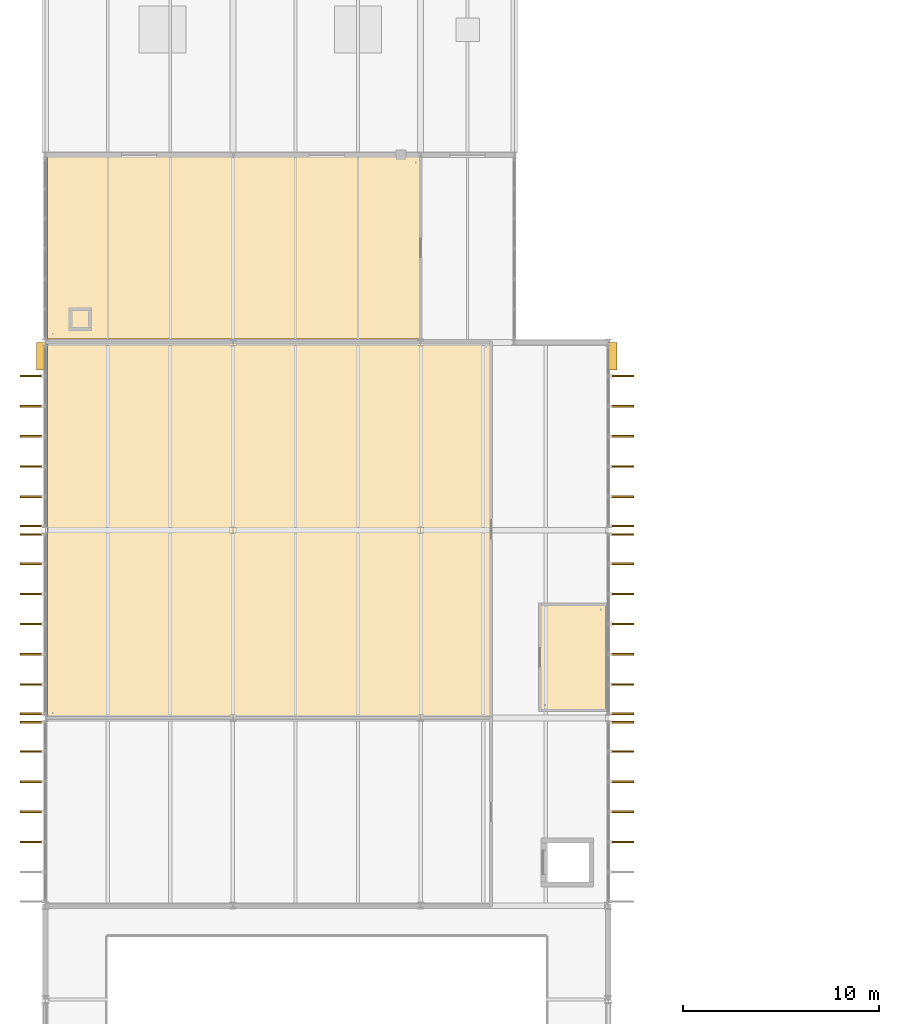
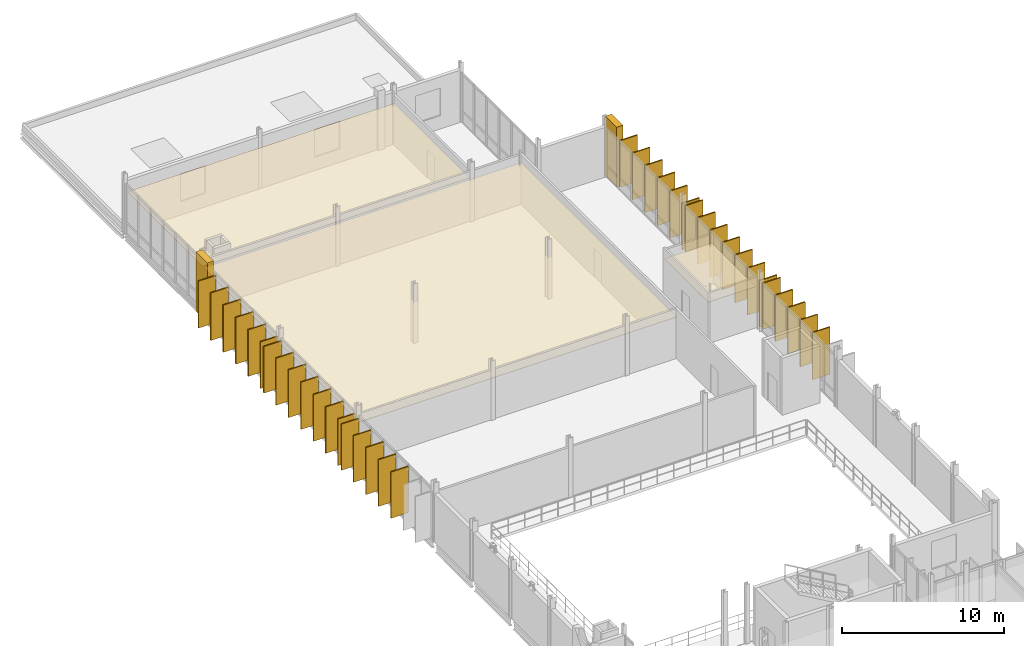
# One storey, part 105 of 107: 41 coverings.
"""IFC4 building model written with IfcOpenShell, lengths in metres."""

from ifc_helpers import new_model, si_unit, direction, frame, origin, origin_2d, place, context, subcontext, project, spatial, polyline, rectangle, outline, extrude, material, layer, layer_set, type_object, element, save


model = new_model("IFC4")

# Units and contexts
model_context = context("Model", 3, precision=1e-05, world=origin(), true_north=direction((0.0, 1.0)))
body_context = subcontext(model_context, "Body", "Model", "MODEL_VIEW")
ifc_project = project(units=[si_unit("LENGTHUNIT", "METRE"), si_unit("AREAUNIT", "SQUARE_METRE"), si_unit("VOLUMEUNIT", "CUBIC_METRE"), si_unit("PLANEANGLEUNIT", "RADIAN"), si_unit("MASSUNIT", "GRAM", prefix="KILO")], contexts=[model_context])

# Site, building, storey
site_placement = place(None, origin())
site = spatial("IfcSite", under=ifc_project, at=site_placement, CompositionType="ELEMENT")
building_placement = place(site_placement, origin())
building = spatial("IfcBuilding", under=site, at=building_placement, Name="Dunescarp Central Library", CompositionType="ELEMENT")
storey_placement = place(building_placement, frame((0.0, 0.0, 5.10009765625)))
storey = spatial("IfcBuildingStorey", under=building, at=storey_placement, Name="L01", CompositionType="ELEMENT", Elevation=5.10009765625)

# Coverings
ifc_material_1 = material(Name="Mineral-fibre acoustic ceiling tile")
ifc_layer_1 = layer(ifc_material_1, 0.0400390625)
ifc_layer_set_1 = layer_set([ifc_layer_1], Name="Mineral-fibre acoustic ceiling tile")
covering_type_1 = type_object("IfcCoveringType", Name="ARC-COV-CEIL40", PredefinedType="CEILING", material=ifc_layer_set_1)
covering_1_placement = place(storey_placement, frame((0.0, 0.0, 3.0498046875)))
element("IfcCovering", 1, at=covering_1_placement, inside=storey, type_object=covering_type_1, Name="L01 ceiling West Maker Wing WC", PredefinedType="CEILING", context=body_context, shape_type="SweptSolid", body=[
    extrude(outline(polyline([(25.280029296875, 70.780029296875), (28.679931640625, 70.780029296875), (28.679931640625, 76.219970703125), (25.280029296875, 76.219970703125), (25.280029296875, 70.780029296875)])), origin(), (0.0, 0.0, 1.0), 0.0400390625),
])
covering_2_placement = place(storey_placement, frame((0.0, 0.0, 3.0498046875)))
element("IfcCovering", 2, at=covering_2_placement, inside=storey, type_object=covering_type_1, Name="L01 ceiling Digital Media Editing & Podcast Lab", PredefinedType="CEILING", context=body_context, shape_type="SweptSolid", body=[
    extrude(outline(polyline([(0.1201171875, 70.3798828125), (22.820068359375, 70.3798828125), (22.820068359375, 89.6201171875), (0.1201171875, 89.6201171875), (0.1201171875, 70.3798828125)])), origin(), (0.0, 0.0, 1.0), 0.0400390625),
])
covering_3_placement = place(storey_placement, frame((0.0, 0.0, 3.0498046875)))
element("IfcCovering", 3, at=covering_3_placement, inside=storey, type_object=covering_type_1, Name="L01 ceiling Green-Screen Video Studio", PredefinedType="CEILING", context=body_context, shape_type="SweptSolid", body=[
    extrude(outline(polyline([(0.1201171875, 89.780029296875), (19.219970703125, 89.780029296875), (19.219970703125, 99.080078125), (0.1201171875, 99.080078125), (0.1201171875, 89.780029296875)])), origin(), (0.0, 0.0, 1.0), 0.0400390625),
])
ifc_material_2 = material(Name="Glass-fibre reinforced concrete GRC", Category="concrete")
ifc_layer_2 = layer(ifc_material_2, 0.090087890625)
ifc_layer_set_2 = layer_set([ifc_layer_2], Name="Glass-fibre reinforced concrete GRC")
covering_type_2 = type_object("IfcCoveringType", Name="ARC-COV-FIN1250", PredefinedType="CLADDING", material=ifc_layer_set_2)
covering_4_placement = place(storey_placement, frame((-0.662109375, 64.05810546875, 0.1640625), z_axis=(0.0, 0.0, 1.0), x_axis=(-1.0, 0.0, 0.0)))
element("IfcCovering", 4, at=covering_4_placement, inside=storey, type_object=covering_type_2, Name="L01 parametric vertical facade fin FIN-L01-0785", PredefinedType="CLADDING", context=body_context, shape_type="SweptSolid", body=[
    extrude(rectangle(XDim=1.25, YDim=0.090087890625, at=origin_2d()), origin(), (0.0, 0.0, 1.0), 3.488037109375),
])
covering_5_placement = place(storey_placement, frame((-0.662109375, 65.60009765625, 0.12353515625), z_axis=(0.0, 0.0, 1.0), x_axis=(-1.0, 0.0, 0.0)))
element("IfcCovering", 5, at=covering_5_placement, inside=storey, type_object=covering_type_2, Name="L01 parametric vertical facade fin FIN-L01-0786", PredefinedType="CLADDING", context=body_context, shape_type="SweptSolid", body=[
    extrude(rectangle(XDim=1.25, YDim=0.090087890625, at=origin_2d()), origin(), (0.0, 0.0, 1.0), 3.529052734375),
])
covering_6_placement = place(storey_placement, frame((-0.662109375, 67.14208984375, 0.079345703125), z_axis=(0.0, 0.0, 1.0), x_axis=(-1.0, 0.0, 0.0)))
element("IfcCovering", 6, at=covering_6_placement, inside=storey, type_object=covering_type_2, Name="L01 parametric vertical facade fin FIN-L01-0787", PredefinedType="CLADDING", context=body_context, shape_type="SweptSolid", body=[
    extrude(rectangle(XDim=1.25, YDim=0.090087890625, at=origin_2d()), origin(), (0.0, 0.0, 1.0), 3.56103515625),
])
covering_7_placement = place(storey_placement, frame((-0.662109375, 68.68310546875, 0.08056640625), z_axis=(0.0, 0.0, 1.0), x_axis=(-1.0, 0.0, 0.0)))
element("IfcCovering", 7, at=covering_7_placement, inside=storey, type_object=covering_type_2, Name="L01 parametric vertical facade fin FIN-L01-0788", PredefinedType="CLADDING", context=body_context, shape_type="SweptSolid", body=[
    extrude(rectangle(XDim=1.25, YDim=0.090087890625, at=origin_2d()), origin(), (0.0, 0.0, 1.0), 3.510986328125),
])
covering_8_placement = place(storey_placement, frame((-0.662109375, 70.18505859375, 0.079833984375), z_axis=(0.0, 0.0, 1.0), x_axis=(-1.0, 0.0, 0.0)))
element("IfcCovering", 8, at=covering_8_placement, inside=storey, type_object=covering_type_2, Name="L01 parametric vertical facade fin FIN-L01-0789", PredefinedType="CLADDING", context=body_context, shape_type="SweptSolid", body=[
    extrude(rectangle(XDim=1.25, YDim=0.090087890625, at=origin_2d()), origin(), (0.0, 0.0, 1.0), 3.47802734375),
])
covering_9_placement = place(storey_placement, frame((29.4619140625, 70.18505859375, 0.16748046875), z_axis=(0.0, 0.0, 1.0), x_axis=(1.0, 0.0, 0.0)))
element("IfcCovering", 9, at=covering_9_placement, inside=storey, type_object=covering_type_2, Name="L01 parametric vertical facade fin FIN-L01-0790", PredefinedType="CLADDING", context=body_context, shape_type="SweptSolid", body=[
    extrude(rectangle(XDim=1.25, YDim=0.090087890625, at=origin_2d()), origin(), (0.0, 0.0, 1.0), 3.485107421875),
])
covering_10_placement = place(storey_placement, frame((29.4619140625, 68.68310546875, 0.18017578125), z_axis=(0.0, 0.0, 1.0), x_axis=(1.0, 0.0, 0.0)))
element("IfcCovering", 10, at=covering_10_placement, inside=storey, type_object=covering_type_2, Name="L01 parametric vertical facade fin FIN-L01-0791", PredefinedType="CLADDING", context=body_context, shape_type="SweptSolid", body=[
    extrude(rectangle(XDim=1.25, YDim=0.090087890625, at=origin_2d()), origin(), (0.0, 0.0, 1.0), 3.471923828125),
])
covering_11_placement = place(storey_placement, frame((29.4619140625, 67.14208984375, 0.1640625), z_axis=(0.0, 0.0, 1.0), x_axis=(1.0, 0.0, 0.0)))
element("IfcCovering", 11, at=covering_11_placement, inside=storey, type_object=covering_type_2, Name="L01 parametric vertical facade fin FIN-L01-0792", PredefinedType="CLADDING", context=body_context, shape_type="SweptSolid", body=[
    extrude(rectangle(XDim=1.25, YDim=0.090087890625, at=origin_2d()), origin(), (0.0, 0.0, 1.0), 3.488037109375),
])
covering_12_placement = place(storey_placement, frame((29.4619140625, 65.60009765625, 0.12353515625), z_axis=(0.0, 0.0, 1.0), x_axis=(1.0, 0.0, 0.0)))
element("IfcCovering", 12, at=covering_12_placement, inside=storey, type_object=covering_type_2, Name="L01 parametric vertical facade fin FIN-L01-0793", PredefinedType="CLADDING", context=body_context, shape_type="SweptSolid", body=[
    extrude(rectangle(XDim=1.25, YDim=0.090087890625, at=origin_2d()), origin(), (0.0, 0.0, 1.0), 3.529052734375),
])
covering_13_placement = place(storey_placement, frame((29.4619140625, 64.05810546875, 0.079345703125), z_axis=(0.0, 0.0, 1.0), x_axis=(1.0, 0.0, 0.0)))
element("IfcCovering", 13, at=covering_13_placement, inside=storey, type_object=covering_type_2, Name="L01 parametric vertical facade fin FIN-L01-0794", PredefinedType="CLADDING", context=body_context, shape_type="SweptSolid", body=[
    extrude(rectangle(XDim=1.25, YDim=0.090087890625, at=origin_2d()), origin(), (0.0, 0.0, 1.0), 3.56103515625),
])
covering_14_placement = place(storey_placement, frame((-0.662109375, 70.614990234375, 0.166748046875), z_axis=(0.0, 0.0, 1.0), x_axis=(-1.0, 0.0, 0.0)))
element("IfcCovering", 14, at=covering_14_placement, inside=storey, type_object=covering_type_2, Name="L01 parametric vertical facade fin FIN-L01-0797", PredefinedType="CLADDING", context=body_context, shape_type="SweptSolid", body=[
    extrude(rectangle(XDim=1.25, YDim=0.090087890625, at=origin_2d()), origin(), (0.0, 0.0, 1.0), 3.51806640625),
])
covering_15_placement = place(storey_placement, frame((-0.662109375, 72.116943359375, 0.180419921875), z_axis=(0.0, 0.0, 1.0), x_axis=(-1.0, 0.0, 0.0)))
element("IfcCovering", 15, at=covering_15_placement, inside=storey, type_object=covering_type_2, Name="L01 parametric vertical facade fin FIN-L01-0798", PredefinedType="CLADDING", context=body_context, shape_type="SweptSolid", body=[
    extrude(rectangle(XDim=1.25, YDim=0.090087890625, at=origin_2d()), origin(), (0.0, 0.0, 1.0), 3.5048828125),
])
covering_16_placement = place(storey_placement, frame((-0.662109375, 73.657958984375, 0.163330078125), z_axis=(0.0, 0.0, 1.0), x_axis=(-1.0, 0.0, 0.0)))
element("IfcCovering", 16, at=covering_16_placement, inside=storey, type_object=covering_type_2, Name="L01 parametric vertical facade fin FIN-L01-0799", PredefinedType="CLADDING", context=body_context, shape_type="SweptSolid", body=[
    extrude(rectangle(XDim=1.25, YDim=0.090087890625, at=origin_2d()), origin(), (0.0, 0.0, 1.0), 3.52099609375),
])
covering_17_placement = place(storey_placement, frame((-0.662109375, 75.199951171875, 0.122802734375), z_axis=(0.0, 0.0, 1.0), x_axis=(-1.0, 0.0, 0.0)))
element("IfcCovering", 17, at=covering_17_placement, inside=storey, type_object=covering_type_2, Name="L01 parametric vertical facade fin FIN-L01-0800", PredefinedType="CLADDING", context=body_context, shape_type="SweptSolid", body=[
    extrude(rectangle(XDim=1.25, YDim=0.090087890625, at=origin_2d()), origin(), (0.0, 0.0, 1.0), 3.56201171875),
])
covering_18_placement = place(storey_placement, frame((-0.662109375, 76.741943359375, 0.080078125), z_axis=(0.0, 0.0, 1.0), x_axis=(-1.0, 0.0, 0.0)))
element("IfcCovering", 18, at=covering_18_placement, inside=storey, type_object=covering_type_2, Name="L01 parametric vertical facade fin FIN-L01-0801", PredefinedType="CLADDING", context=body_context, shape_type="SweptSolid", body=[
    extrude(rectangle(XDim=1.25, YDim=0.090087890625, at=origin_2d()), origin(), (0.0, 0.0, 1.0), 3.593994140625),
])
covering_19_placement = place(storey_placement, frame((-0.662109375, 78.282958984375, 0.079833984375), z_axis=(0.0, 0.0, 1.0), x_axis=(-1.0, 0.0, 0.0)))
element("IfcCovering", 19, at=covering_19_placement, inside=storey, type_object=covering_type_2, Name="L01 parametric vertical facade fin FIN-L01-0802", PredefinedType="CLADDING", context=body_context, shape_type="SweptSolid", body=[
    extrude(rectangle(XDim=1.25, YDim=0.090087890625, at=origin_2d()), origin(), (0.0, 0.0, 1.0), 3.5439453125),
])
covering_20_placement = place(storey_placement, frame((-0.662109375, 79.784912109375, 0.08056640625), z_axis=(0.0, 0.0, 1.0), x_axis=(-1.0, 0.0, 0.0)))
element("IfcCovering", 20, at=covering_20_placement, inside=storey, type_object=covering_type_2, Name="L01 parametric vertical facade fin FIN-L01-0803", PredefinedType="CLADDING", context=body_context, shape_type="SweptSolid", body=[
    extrude(rectangle(XDim=1.25, YDim=0.090087890625, at=origin_2d()), origin(), (0.0, 0.0, 1.0), 3.510986328125),
])
covering_21_placement = place(storey_placement, frame((29.4619140625, 79.784912109375, 0.166748046875), z_axis=(0.0, 0.0, 1.0), x_axis=(1.0, 0.0, 0.0)))
element("IfcCovering", 21, at=covering_21_placement, inside=storey, type_object=covering_type_2, Name="L01 parametric vertical facade fin FIN-L01-0804", PredefinedType="CLADDING", context=body_context, shape_type="SweptSolid", body=[
    extrude(rectangle(XDim=1.25, YDim=0.090087890625, at=origin_2d()), origin(), (0.0, 0.0, 1.0), 3.51806640625),
])
covering_22_placement = place(storey_placement, frame((29.4619140625, 78.282958984375, 0.180419921875), z_axis=(0.0, 0.0, 1.0), x_axis=(1.0, 0.0, 0.0)))
element("IfcCovering", 22, at=covering_22_placement, inside=storey, type_object=covering_type_2, Name="L01 parametric vertical facade fin FIN-L01-0805", PredefinedType="CLADDING", context=body_context, shape_type="SweptSolid", body=[
    extrude(rectangle(XDim=1.25, YDim=0.090087890625, at=origin_2d()), origin(), (0.0, 0.0, 1.0), 3.5048828125),
])
covering_23_placement = place(storey_placement, frame((29.4619140625, 76.741943359375, 0.163330078125), z_axis=(0.0, 0.0, 1.0), x_axis=(1.0, 0.0, 0.0)))
element("IfcCovering", 23, at=covering_23_placement, inside=storey, type_object=covering_type_2, Name="L01 parametric vertical facade fin FIN-L01-0806", PredefinedType="CLADDING", context=body_context, shape_type="SweptSolid", body=[
    extrude(rectangle(XDim=1.25, YDim=0.090087890625, at=origin_2d()), origin(), (0.0, 0.0, 1.0), 3.52099609375),
])
covering_24_placement = place(storey_placement, frame((29.4619140625, 75.199951171875, 0.122802734375), z_axis=(0.0, 0.0, 1.0), x_axis=(1.0, 0.0, 0.0)))
element("IfcCovering", 24, at=covering_24_placement, inside=storey, type_object=covering_type_2, Name="L01 parametric vertical facade fin FIN-L01-0807", PredefinedType="CLADDING", context=body_context, shape_type="SweptSolid", body=[
    extrude(rectangle(XDim=1.25, YDim=0.090087890625, at=origin_2d()), origin(), (0.0, 0.0, 1.0), 3.56201171875),
])
covering_25_placement = place(storey_placement, frame((29.4619140625, 73.657958984375, 0.080078125), z_axis=(0.0, 0.0, 1.0), x_axis=(1.0, 0.0, 0.0)))
element("IfcCovering", 25, at=covering_25_placement, inside=storey, type_object=covering_type_2, Name="L01 parametric vertical facade fin FIN-L01-0808", PredefinedType="CLADDING", context=body_context, shape_type="SweptSolid", body=[
    extrude(rectangle(XDim=1.25, YDim=0.090087890625, at=origin_2d()), origin(), (0.0, 0.0, 1.0), 3.593994140625),
])
covering_26_placement = place(storey_placement, frame((29.4619140625, 72.116943359375, 0.079833984375), z_axis=(0.0, 0.0, 1.0), x_axis=(1.0, 0.0, 0.0)))
element("IfcCovering", 26, at=covering_26_placement, inside=storey, type_object=covering_type_2, Name="L01 parametric vertical facade fin FIN-L01-0809", PredefinedType="CLADDING", context=body_context, shape_type="SweptSolid", body=[
    extrude(rectangle(XDim=1.25, YDim=0.090087890625, at=origin_2d()), origin(), (0.0, 0.0, 1.0), 3.5439453125),
])
covering_27_placement = place(storey_placement, frame((29.4619140625, 70.614990234375, 0.08056640625), z_axis=(0.0, 0.0, 1.0), x_axis=(1.0, 0.0, 0.0)))
element("IfcCovering", 27, at=covering_27_placement, inside=storey, type_object=covering_type_2, Name="L01 parametric vertical facade fin FIN-L01-0810", PredefinedType="CLADDING", context=body_context, shape_type="SweptSolid", body=[
    extrude(rectangle(XDim=1.25, YDim=0.090087890625, at=origin_2d()), origin(), (0.0, 0.0, 1.0), 3.510986328125),
])
covering_28_placement = place(storey_placement, frame((-0.662109375, 80.215087890625, 0.166748046875), z_axis=(0.0, 0.0, 1.0), x_axis=(-1.0, 0.0, 0.0)))
element("IfcCovering", 28, at=covering_28_placement, inside=storey, type_object=covering_type_2, Name="L01 parametric vertical facade fin FIN-L01-0811", PredefinedType="CLADDING", context=body_context, shape_type="SweptSolid", body=[
    extrude(rectangle(XDim=1.25, YDim=0.090087890625, at=origin_2d()), origin(), (0.0, 0.0, 1.0), 3.51806640625),
])
covering_29_placement = place(storey_placement, frame((-0.662109375, 81.717041015625, 0.180419921875), z_axis=(0.0, 0.0, 1.0), x_axis=(-1.0, 0.0, 0.0)))
element("IfcCovering", 29, at=covering_29_placement, inside=storey, type_object=covering_type_2, Name="L01 parametric vertical facade fin FIN-L01-0812", PredefinedType="CLADDING", context=body_context, shape_type="SweptSolid", body=[
    extrude(rectangle(XDim=1.25, YDim=0.090087890625, at=origin_2d()), origin(), (0.0, 0.0, 1.0), 3.5048828125),
])
covering_30_placement = place(storey_placement, frame((-0.662109375, 83.258056640625, 0.163330078125), z_axis=(0.0, 0.0, 1.0), x_axis=(-1.0, 0.0, 0.0)))
element("IfcCovering", 30, at=covering_30_placement, inside=storey, type_object=covering_type_2, Name="L01 parametric vertical facade fin FIN-L01-0813", PredefinedType="CLADDING", context=body_context, shape_type="SweptSolid", body=[
    extrude(rectangle(XDim=1.25, YDim=0.090087890625, at=origin_2d()), origin(), (0.0, 0.0, 1.0), 3.52099609375),
])
covering_31_placement = place(storey_placement, frame((-0.662109375, 84.800048828125, 0.122802734375), z_axis=(0.0, 0.0, 1.0), x_axis=(-1.0, 0.0, 0.0)))
element("IfcCovering", 31, at=covering_31_placement, inside=storey, type_object=covering_type_2, Name="L01 parametric vertical facade fin FIN-L01-0814", PredefinedType="CLADDING", context=body_context, shape_type="SweptSolid", body=[
    extrude(rectangle(XDim=1.25, YDim=0.090087890625, at=origin_2d()), origin(), (0.0, 0.0, 1.0), 3.56201171875),
])
covering_32_placement = place(storey_placement, frame((-0.662109375, 86.342041015625, 0.080078125), z_axis=(0.0, 0.0, 1.0), x_axis=(-1.0, 0.0, 0.0)))
element("IfcCovering", 32, at=covering_32_placement, inside=storey, type_object=covering_type_2, Name="L01 parametric vertical facade fin FIN-L01-0815", PredefinedType="CLADDING", context=body_context, shape_type="SweptSolid", body=[
    extrude(rectangle(XDim=1.25, YDim=0.090087890625, at=origin_2d()), origin(), (0.0, 0.0, 1.0), 3.593994140625),
])
covering_33_placement = place(storey_placement, frame((-0.662109375, 87.883056640625, 0.079833984375), z_axis=(0.0, 0.0, 1.0), x_axis=(-1.0, 0.0, 0.0)))
element("IfcCovering", 33, at=covering_33_placement, inside=storey, type_object=covering_type_2, Name="L01 parametric vertical facade fin FIN-L01-0816", PredefinedType="CLADDING", context=body_context, shape_type="SweptSolid", body=[
    extrude(rectangle(XDim=1.25, YDim=0.090087890625, at=origin_2d()), origin(), (0.0, 0.0, 1.0), 3.5439453125),
])
covering_34_placement = place(storey_placement, frame((29.4619140625, 87.883056640625, 0.180419921875), z_axis=(0.0, 0.0, 1.0), x_axis=(1.0, 0.0, 0.0)))
element("IfcCovering", 34, at=covering_34_placement, inside=storey, type_object=covering_type_2, Name="L01 parametric vertical facade fin FIN-L01-0817", PredefinedType="CLADDING", context=body_context, shape_type="SweptSolid", body=[
    extrude(rectangle(XDim=1.25, YDim=0.090087890625, at=origin_2d()), origin(), (0.0, 0.0, 1.0), 3.5048828125),
])
covering_35_placement = place(storey_placement, frame((29.4619140625, 86.342041015625, 0.163330078125), z_axis=(0.0, 0.0, 1.0), x_axis=(1.0, 0.0, 0.0)))
element("IfcCovering", 35, at=covering_35_placement, inside=storey, type_object=covering_type_2, Name="L01 parametric vertical facade fin FIN-L01-0818", PredefinedType="CLADDING", context=body_context, shape_type="SweptSolid", body=[
    extrude(rectangle(XDim=1.25, YDim=0.090087890625, at=origin_2d()), origin(), (0.0, 0.0, 1.0), 3.52099609375),
])
covering_36_placement = place(storey_placement, frame((29.4619140625, 84.800048828125, 0.122802734375), z_axis=(0.0, 0.0, 1.0), x_axis=(1.0, 0.0, 0.0)))
element("IfcCovering", 36, at=covering_36_placement, inside=storey, type_object=covering_type_2, Name="L01 parametric vertical facade fin FIN-L01-0819", PredefinedType="CLADDING", context=body_context, shape_type="SweptSolid", body=[
    extrude(rectangle(XDim=1.25, YDim=0.090087890625, at=origin_2d()), origin(), (0.0, 0.0, 1.0), 3.56201171875),
])
covering_37_placement = place(storey_placement, frame((29.4619140625, 83.258056640625, 0.080078125), z_axis=(0.0, 0.0, 1.0), x_axis=(1.0, 0.0, 0.0)))
element("IfcCovering", 37, at=covering_37_placement, inside=storey, type_object=covering_type_2, Name="L01 parametric vertical facade fin FIN-L01-0820", PredefinedType="CLADDING", context=body_context, shape_type="SweptSolid", body=[
    extrude(rectangle(XDim=1.25, YDim=0.090087890625, at=origin_2d()), origin(), (0.0, 0.0, 1.0), 3.593994140625),
])
covering_38_placement = place(storey_placement, frame((29.4619140625, 81.717041015625, 0.079833984375), z_axis=(0.0, 0.0, 1.0), x_axis=(1.0, 0.0, 0.0)))
element("IfcCovering", 38, at=covering_38_placement, inside=storey, type_object=covering_type_2, Name="L01 parametric vertical facade fin FIN-L01-0821", PredefinedType="CLADDING", context=body_context, shape_type="SweptSolid", body=[
    extrude(rectangle(XDim=1.25, YDim=0.090087890625, at=origin_2d()), origin(), (0.0, 0.0, 1.0), 3.5439453125),
])
covering_39_placement = place(storey_placement, frame((29.4619140625, 80.215087890625, 0.08056640625), z_axis=(0.0, 0.0, 1.0), x_axis=(1.0, 0.0, 0.0)))
element("IfcCovering", 39, at=covering_39_placement, inside=storey, type_object=covering_type_2, Name="L01 parametric vertical facade fin FIN-L01-0822", PredefinedType="CLADDING", context=body_context, shape_type="SweptSolid", body=[
    extrude(rectangle(XDim=1.25, YDim=0.090087890625, at=origin_2d()), origin(), (0.0, 0.0, 1.0), 3.510986328125),
])
ifc_layer_3 = layer(ifc_material_2, 0.449951171875)
ifc_layer_set_3 = layer_set([ifc_layer_3], Name="Glass-fibre reinforced concrete GRC")
covering_type_3 = type_object("IfcCoveringType", Name="ARC-COV-PORTAL", PredefinedType="CLADDING", material=ifc_layer_set_3)
for number, where, z_axis, x_axis, name in (
    (40, (-0.219970703125, 88.89990234375, 0.0), (0.0, 0.0, 1.0), (1.0, 0.0, 0.0), "V4 sculpted GRC portal pier PRT-BAND-V4-069"),
    (41, (29.02001953125, 88.89990234375, 0.0), (0.0, 0.0, 1.0), (1.0, 0.0, 0.0), "V4 sculpted GRC portal pier PRT-BAND-V4-070"),
):
    element("IfcCovering", number, at=place(storey_placement, frame(where, z_axis=z_axis, x_axis=x_axis)), inside=storey, type_object=covering_type_3, Name=name, PredefinedType="CLADDING", context=body_context, shape_type="SweptSolid", body=[
        extrude(rectangle(XDim=0.449951171875, YDim=1.39990234375, at=origin_2d()), origin(), (0.0, 0.0, 1.0), 4.5),
    ])

save(model, "model.ifc")
